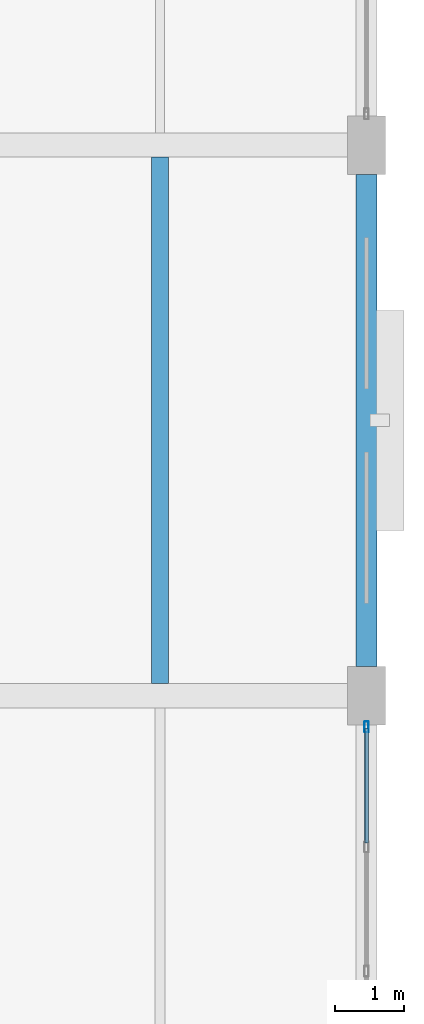
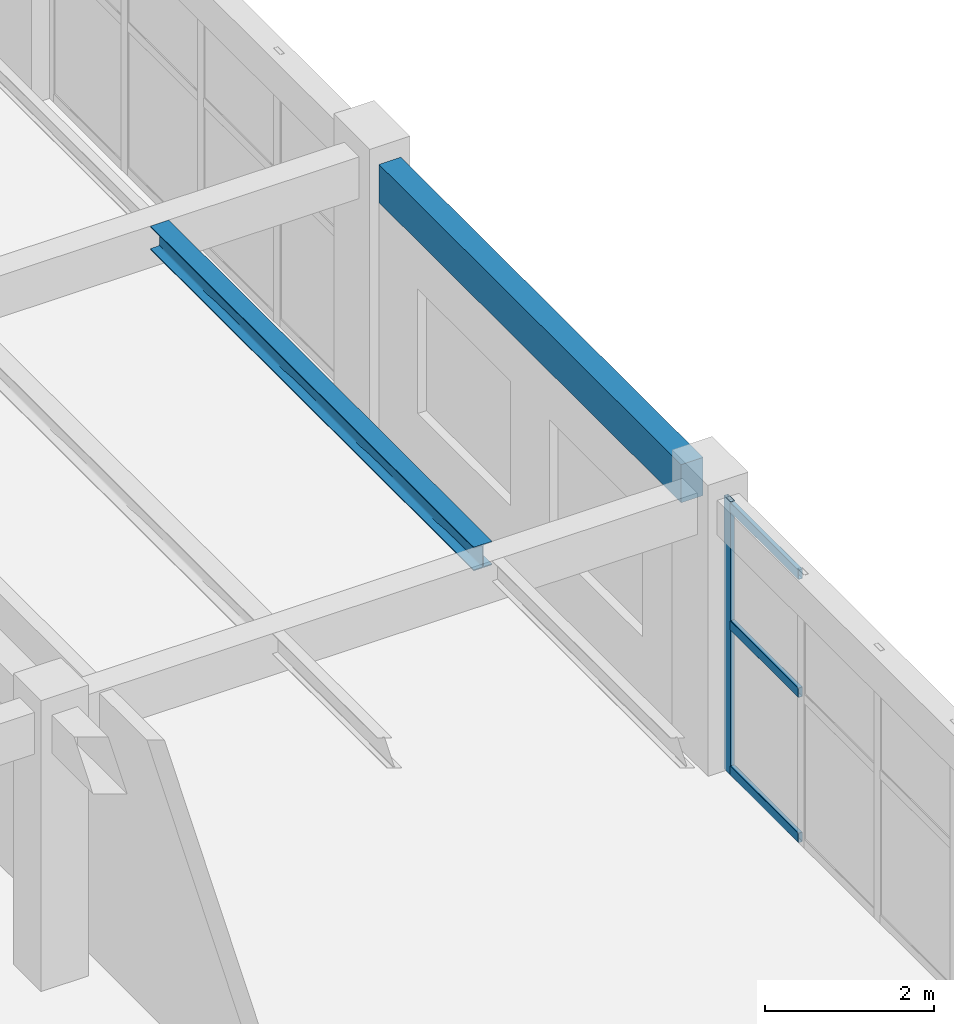
# One storey, part 45 of 71: 4 members, 2 beams, 1 element without a shape of its own.
"""IFC4 building model written with IfcOpenShell, lengths in metres."""

from ifc_helpers import new_model, si_unit, derived_unit, direction, frame, origin, origin_2d, place, context, subcontext, project, spatial, rectangle, hollow_rectangle, i_section, extrude, material, material_profile, profile_set, type_object, element, aggregate, save


model = new_model("IFC4")

# Units and contexts
model_context = context("Model", 3, precision=1e-05, world=origin(), true_north=direction((0.0, 1.0)))
body_context = subcontext(model_context, "Body", "Model", "MODEL_VIEW")
ifc_project = project(units=[si_unit("LENGTHUNIT", "METRE"), si_unit("AREAUNIT", "SQUARE_METRE"), si_unit("VOLUMEUNIT", "CUBIC_METRE"), si_unit("PLANEANGLEUNIT", "RADIAN"), si_unit("MASSUNIT", "GRAM", prefix="KILO"), derived_unit("THERMALTRANSMITTANCEUNIT", [(si_unit("MASSUNIT", "GRAM", prefix="KILO"), 1), (si_unit("TIMEUNIT", "SECOND"), -3), (si_unit("THERMODYNAMICTEMPERATUREUNIT", "KELVIN"), -1)])], contexts=[model_context])

# Site, building, storey
site_placement = place(None, origin())
site = spatial("IfcSite", under=ifc_project, at=site_placement, CompositionType="ELEMENT")
building_placement = place(site_placement, origin())
building = spatial("IfcBuilding", under=site, at=building_placement, Name="Zhenchuan Archway Interchange", CompositionType="ELEMENT")
storey_placement = place(building_placement, frame((0.0, 0.0, 18.60009765625)))
storey = spatial("IfcBuildingStorey", under=building, at=storey_placement, Name="L04", CompositionType="ELEMENT", Elevation=18.60009765625)

# Curtain wall, members
ifc_material_1 = material(Name="Anodised Aluminium", Category="aluminium")
curtain_wall_type = type_object("IfcCurtainWallType", Name="CW_UNIT_1", PredefinedType="NOTDEFINED", material=ifc_material_1)
curtain_wall_placement = place(storey_placement, origin())
curtain_wall = element("IfcCurtainWall", 1, at=curtain_wall_placement, inside=storey, type_object=curtain_wall_type, Name="Unitised curtain wall CW:L04:196", PredefinedType="NOTDEFINED")
ifc_material_profile_1 = material_profile(ifc_material_1, hollow_rectangle(XDim=0.06005859375, YDim=0.159912109375, WallThickness=0.00390625, InnerFilletRadius=0.00390625, OuterFilletRadius=0.008056640625, at=origin_2d()), Name="ALU 160x60x4")
ifc_profile_set_1 = profile_set([ifc_material_profile_1], Name="Anodised Aluminium")
member_type_1 = type_object("IfcMemberType", Name="CW_MUL_150", PredefinedType="MULLION", material=ifc_profile_set_1)
member_1_placement = place(storey_placement, frame((171.0, 79.547119140625, 0.0), z_axis=(0.0, 0.0, 1.0), x_axis=(1.0, 0.0, 0.0)))
member_1 = element("IfcMember", 2, at=member_1_placement, type_object=member_type_1, Name="CW:L04:196 mullion 0", PredefinedType="MULLION", context=body_context, shape_type="SweptSolid", body=[
    extrude(hollow_rectangle(XDim=0.06005859375, YDim=0.159912109375, WallThickness=0.00390625, InnerFilletRadius=0.00390625, OuterFilletRadius=0.008056640625, at=origin_2d()), origin(), (0.0, 0.0, 1.0), 3.93994140625),
])
ifc_material_profile_2 = material_profile(ifc_material_1, hollow_rectangle(XDim=0.06005859375, YDim=0.139892578125, WallThickness=0.00341796875, InnerFilletRadius=0.00341796875, OuterFilletRadius=0.007080078125, at=origin_2d()), Name="ALU 140x60x3.5")
ifc_profile_set_2 = profile_set([ifc_material_profile_2], Name="Anodised Aluminium")
member_type_2 = type_object("IfcMemberType", Name="CW_TRN_140", PredefinedType="USERDEFINED", material=ifc_profile_set_2)
member_2_placement = place(storey_placement, frame((171.0, 79.527099609375, 0.059814453125), z_axis=(0.0, -1.0, 0.0), x_axis=(1.0, 0.0, 0.0)))
member_2 = element("IfcMember", 3, at=member_2_placement, type_object=member_type_2, Name="CW:L04:196 transom 0-1", ObjectType="TRANSOM", PredefinedType="USERDEFINED", context=body_context, shape_type="SweptSolid", body=[
    extrude(hollow_rectangle(XDim=0.06005859375, YDim=0.139892578125, WallThickness=0.00341796875, InnerFilletRadius=0.00341796875, OuterFilletRadius=0.007080078125, at=origin_2d()), origin(), (0.0, 0.0, 1.0), 1.66357421875),
])
member_3_placement = place(storey_placement, frame((171.0, 79.527099609375, 2.156005859375), z_axis=(0.0, -1.0, 0.0), x_axis=(1.0, 0.0, 0.0)))
member_3 = element("IfcMember", 4, at=member_3_placement, type_object=member_type_2, Name="CW:L04:196 transom 0-2", ObjectType="TRANSOM", PredefinedType="USERDEFINED", context=body_context, shape_type="SweptSolid", body=[
    extrude(hollow_rectangle(XDim=0.06005859375, YDim=0.139892578125, WallThickness=0.00341796875, InnerFilletRadius=0.00341796875, OuterFilletRadius=0.007080078125, at=origin_2d()), origin(), (0.0, 0.0, 1.0), 1.66357421875),
])
member_4_placement = place(storey_placement, frame((171.0, 79.527099609375, 3.85986328125), z_axis=(0.0, -1.0, 0.0), x_axis=(1.0, 0.0, 0.0)))
member_4 = element("IfcMember", 5, at=member_4_placement, type_object=member_type_2, Name="CW:L04:196 transom 0-3", ObjectType="TRANSOM", PredefinedType="USERDEFINED", context=body_context, shape_type="SweptSolid", body=[
    extrude(hollow_rectangle(XDim=0.06005859375, YDim=0.139892578125, WallThickness=0.00341796875, InnerFilletRadius=0.00341796875, OuterFilletRadius=0.007080078125, at=origin_2d()), origin(), (0.0, 0.0, 1.0), 1.66357421875),
])
aggregate(curtain_wall, [member_1, member_2, member_3, member_4])

# Beams
ifc_material_2 = material(Name="Steel Q355", Category="steel")
ifc_material_profile_3 = material_profile(ifc_material_2, i_section(OverallWidth=0.25, OverallDepth=0.340087890625, WebThickness=0.009033203125, FlangeThickness=0.013916015625, FilletRadius=0.01806640625, at=origin_2d()), Name="HM 340x250")
ifc_profile_set_3 = profile_set([ifc_material_profile_3], Name="Steel Q355")
beam_type_1 = type_object("IfcBeamType", Name="JST_STL_HM340", PredefinedType="JOIST", material=ifc_profile_set_3)
beam_1_placement = place(storey_placement, frame((168.0, 80.175048828125, 3.77001953125), z_axis=(0.0, 1.0, 0.0), x_axis=(-1.0, 0.0, 0.0)))
element("IfcBeam", 6, at=beam_1_placement, inside=storey, type_object=beam_type_1, Name="Secondary joist 19-20/L-M #2 (L04)", PredefinedType="JOIST", context=body_context, shape_type="SweptSolid", body=[
    extrude(i_section(OverallWidth=0.25, OverallDepth=0.340087890625, WebThickness=0.009033203125, FlangeThickness=0.013916015625, FilletRadius=0.01806640625, at=origin_2d()), origin(), (0.0, 0.0, 1.0), 7.64990234375),
])
ifc_material_3 = material(Name="Concrete C40", Category="concrete")
ifc_material_profile_4 = material_profile(ifc_material_3, rectangle(XDim=0.300048828125, YDim=0.550048828125, at=origin_2d()), Name="RC 300x550")
ifc_profile_set_4 = profile_set([ifc_material_profile_4], Name="Concrete C40")
beam_type_2 = type_object("IfcBeamType", Name="SP_RC_300x550", PredefinedType="SPANDREL", material=ifc_profile_set_4)
beam_2_placement = place(storey_placement, frame((171.0, 80.425048828125, 3.664794921875), z_axis=(0.0, 1.0, 0.0), x_axis=(-1.0, 0.0, 0.0)))
element("IfcBeam", 7, at=beam_2_placement, inside=storey, type_object=beam_type_2, Name="Beam 20:L-M (L04)", PredefinedType="SPANDREL", context=body_context, shape_type="SweptSolid", body=[
    extrude(rectangle(XDim=0.300048828125, YDim=0.550048828125, at=origin_2d()), origin(), (0.0, 0.0, 1.0), 7.14990234375),
])

save(model, "model.ifc")
